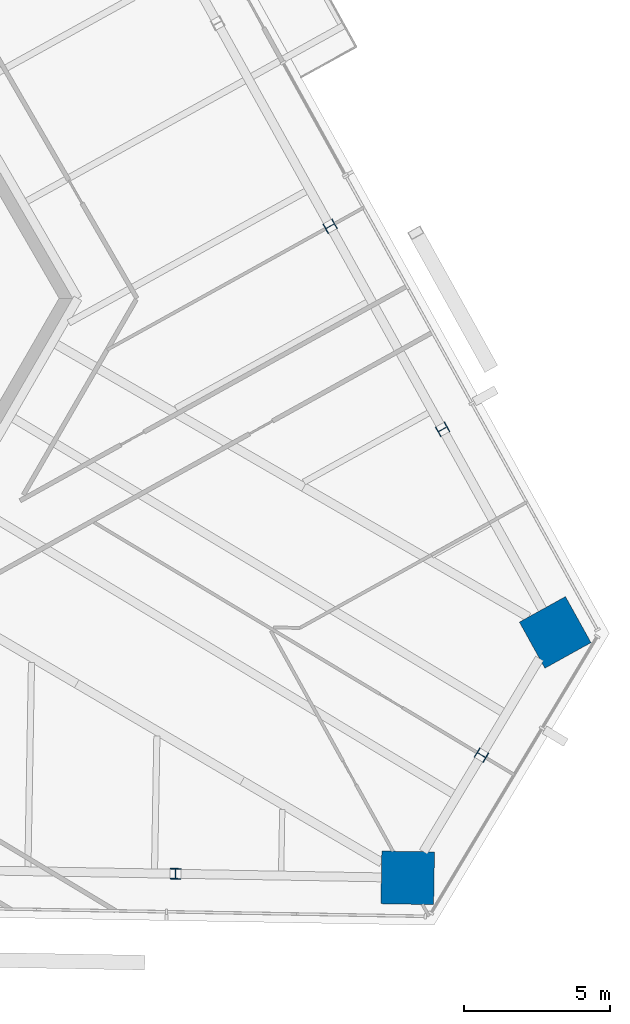
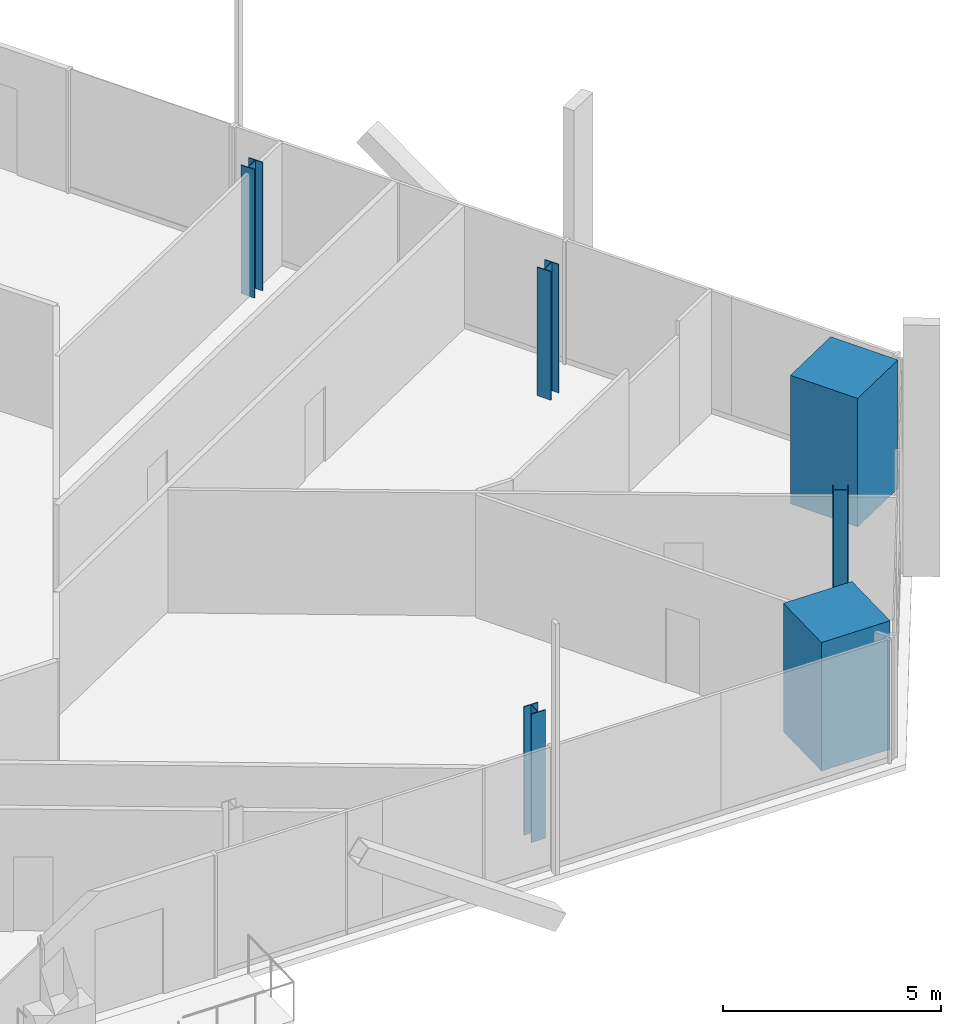
# One storey, part 2 of 21: 6 columns.
"""IFC4 building model written with IfcOpenShell, lengths in metres."""

from ifc_helpers import new_model, si_unit, direction, frame, origin, origin_2d, place, context, subcontext, project, spatial, rectangle, i_section, extrude, source, transform, mapped, material, material_profile, profile_set, type_object, element, save


model = new_model("IFC4")

# Units and contexts
model_context = context("Model", 3, precision=1e-05, world=origin(), true_north=direction((0.0, 1.0)))
body_context = subcontext(model_context, "Body", "Model", "MODEL_VIEW")
ifc_project = project(units=[si_unit("LENGTHUNIT", "METRE"), si_unit("AREAUNIT", "SQUARE_METRE"), si_unit("VOLUMEUNIT", "CUBIC_METRE"), si_unit("PLANEANGLEUNIT", "RADIAN"), si_unit("MASSUNIT", "GRAM", prefix="KILO")], contexts=[model_context])

# Site, building, storey
site_placement = place(None, origin())
site = spatial("IfcSite", under=ifc_project, at=site_placement, CompositionType="ELEMENT")
building_placement = place(site_placement, origin())
building = spatial("IfcBuilding", under=site, at=building_placement, Name="Triune Harvest Tower", CompositionType="ELEMENT")
storey_placement = place(building_placement, frame((0.0, 0.0, 187.10009765625)))
storey = spatial("IfcBuildingStorey", under=building, at=storey_placement, Name="L48", CompositionType="ELEMENT", Elevation=187.10009765625)

# Columns
ifc_material_1 = material(Name="Concrete 70 MPa", Category="concrete")
ifc_material_profile_1 = material_profile(ifc_material_1, rectangle(XDim=1.800048828125, YDim=1.800048828125, at=origin_2d()), Name="Composite 1800x1800")
ifc_profile_set_1 = profile_set([ifc_material_profile_1], Name="Concrete 70 MPa")
column_type_1 = type_object("IfcColumnType", Name="MC-5 Mega column Composite 1800x1800", PredefinedType="COLUMN", material=ifc_profile_set_1)
shared_shape_1 = source(origin(), body_context, "Body", "SweptSolid", [
    extrude(rectangle(XDim=1.800048828125, YDim=1.800048828125, at=origin_2d()), origin(), (0.0, 0.0, 1.0), 3.599853515625),
])
for number, where, z_axis, x_axis, name in (
    (1, (28.475341796875, -11.40673828125, 0.0), (0.0, 0.0, 1.0), (-0.484809620246, 0.874619707139, 0.0), "col/L48/M0"),
    (2, (23.43994140625, -19.787109375, 0.0), (0.0, 0.0, 1.0), (0.999847695156, -0.017452406437, 0.0), "col/L48/M22"),
):
    element("IfcColumn", number, at=place(storey_placement, frame(where, z_axis=z_axis, x_axis=x_axis)), inside=storey, type_object=column_type_1, Name=name, PredefinedType="COLUMN", context=body_context, shape_type="MappedRepresentation", body=[
        mapped(shared_shape_1, transform((0.0, 0.0, 0.0), scale=1.0)),
    ])
ifc_material_2 = material(Name="Steel ASTM A992 Gr 50", Category="steel")
ifc_material_profile_2 = material_profile(ifc_material_2, i_section(OverallWidth=0.370849609375, OverallDepth=0.36328125, WebThickness=0.013427734375, FlangeThickness=0.021728515625, at=origin_2d()), Name="W14x109")
ifc_profile_set_2 = profile_set([ifc_material_profile_2], Name="Steel ASTM A992 Gr 50")
column_type_2 = type_object("IfcColumnType", Name="PC-5 Perimeter column W14x109", PredefinedType="COLUMN", material=ifc_profile_set_2)
shared_shape_2 = source(origin(), body_context, "Body", "SweptSolid", [
    extrude(i_section(OverallWidth=0.370849609375, OverallDepth=0.36328125, WebThickness=0.013427734375, FlangeThickness=0.021728515625, at=origin_2d()), origin(), (0.0, 0.0, 1.0), 3.599853515625),
])
for number, where, z_axis, x_axis, name in (
    (3, (24.632080078125, -4.473388671875, 0.0), (0.0, 0.0, 1.0), (-0.484809620246, 0.874619707139, 0.0), "col/L48/P1"),
    (4, (20.788818359375, 2.459716796875, 0.0), (0.0, 0.0, 1.0), (-0.484809620246, 0.874619707139, 0.0), "col/L48/P2"),
    (5, (15.513916015625, -19.648681640625, 0.0), (0.0, 0.0, 1.0), (0.999847695156, -0.017452406437, 0.0), "col/L48/P21"),
    (6, (25.95751953125, -15.596923828125, 0.0), (0.0, 0.0, 1.0), (0.515039570948, 0.85716640179, 0.0), "col/L48/P23"),
):
    element("IfcColumn", number, at=place(storey_placement, frame(where, z_axis=z_axis, x_axis=x_axis)), inside=storey, type_object=column_type_2, Name=name, PredefinedType="COLUMN", context=body_context, shape_type="MappedRepresentation", body=[
        mapped(shared_shape_2, transform((0.0, 0.0, 0.0), scale=1.0)),
    ])

save(model, "model.ifc")
